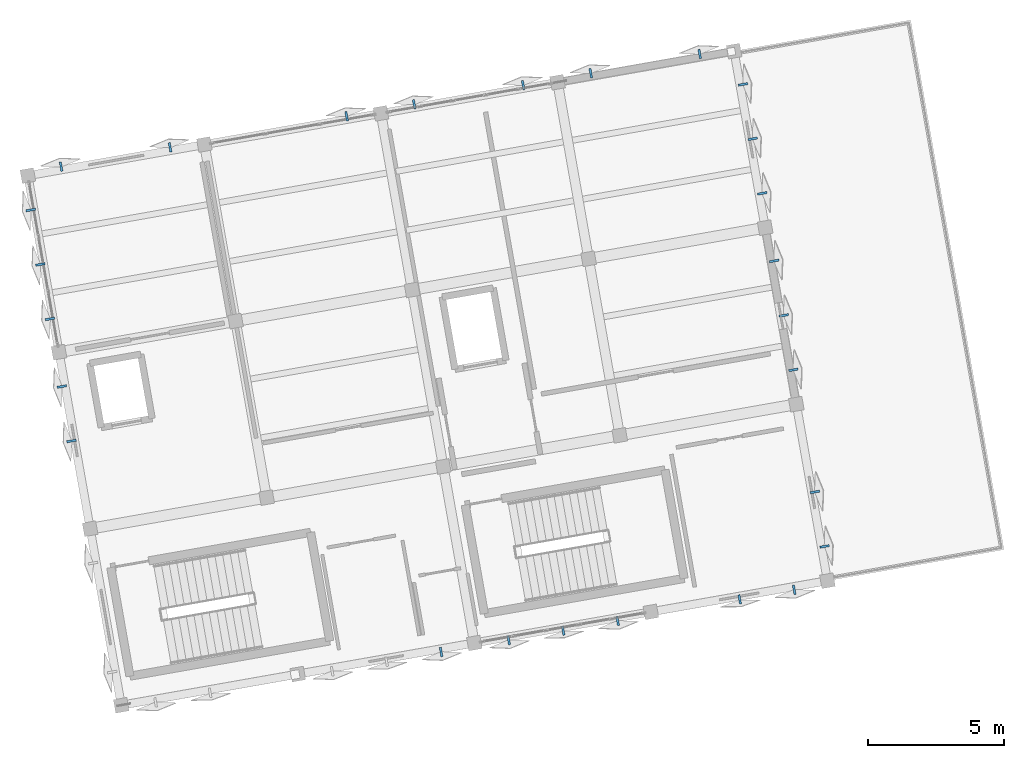
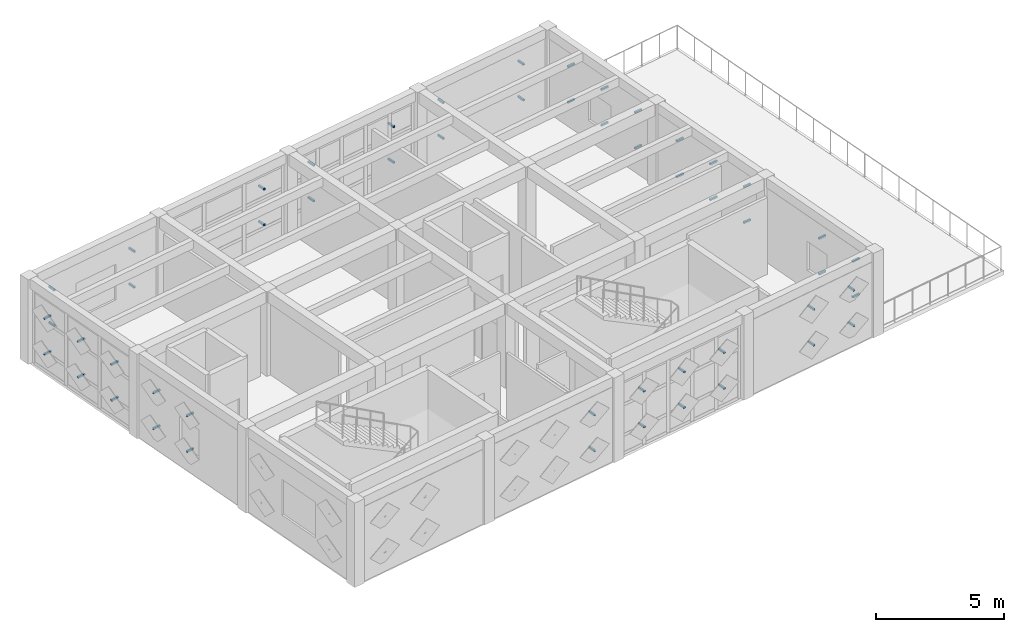
# One storey, part 11 of 13: 52 discrete accessories.
"""IFC4 building model written with IfcOpenShell, lengths in metres."""

from ifc_helpers import new_model, si_unit, direction, frame, origin, origin_2d, place, context, subcontext, project, spatial, hollow_rectangle, extrude, material, type_object, element, save


model = new_model("IFC4")

# Units and contexts
model_context = context("Model", 3, precision=1e-05, world=origin(), true_north=direction((0.0, 1.0)))
body_context = subcontext(model_context, "Body", "Model", "MODEL_VIEW")
ifc_project = project(units=[si_unit("LENGTHUNIT", "METRE"), si_unit("AREAUNIT", "SQUARE_METRE"), si_unit("VOLUMEUNIT", "CUBIC_METRE"), si_unit("PLANEANGLEUNIT", "RADIAN"), si_unit("MASSUNIT", "GRAM", prefix="KILO")], contexts=[model_context])

# Site, building, storey
site_placement = place(None, origin())
site = spatial("IfcSite", under=ifc_project, at=site_placement, CompositionType="ELEMENT")
building_placement = place(site_placement, origin())
building = spatial("IfcBuilding", under=site, at=building_placement, Name="Kharisveld Research Institute", CompositionType="ELEMENT")
storey_placement = place(building_placement, frame((0.0, 0.0, 45.0)))
storey = spatial("IfcBuildingStorey", under=building, at=storey_placement, Name="L10", CompositionType="ELEMENT", Elevation=45.0)

# Discrete accessories
ifc_material = material(Name="Steel S355JR", Category="steel")
discrete_accessory_type = type_object("IfcDiscreteAccessoryType", Name="BKT_ST_260", PredefinedType="BRACKET")
for number, where, z_axis, x_axis, name in (
    (1, (3.5400390625, 44.77001953125, 1.050048828125), (-0.984804615622, -0.173665969752, 0.0), (0.173665969752, -0.984804615622, 0.0), "BKT-SHD:V1:L10:W1:S1C0"),
    (2, (3.5400390625, 44.77001953125, 2.75), (-0.984804615622, -0.173665969752, 0.0), (0.173665969752, -0.984804615622, 0.0), "BKT-SHD:V1:L10:W1:S1C1"),
    (3, (3.186279296875, 46.775634765625, 1.050048828125), (-0.984804615622, -0.173665969752, 0.0), (0.173665969752, -0.984804615622, 0.0), "BKT-SHD:V1:L10:W1:S2C0"),
    (4, (3.186279296875, 46.775634765625, 2.75), (-0.984804615622, -0.173665969752, 0.0), (0.173665969752, -0.984804615622, 0.0), "BKT-SHD:V1:L10:W1:S2C1"),
    (5, (2.74755859375, 49.263916015625, 1.050048828125), (-0.984804615622, -0.173665969752, 0.0), (0.173665969752, -0.984804615622, 0.0), "BKT-SHD:V1:L10:W2:S0C0"),
    (6, (2.74755859375, 49.263916015625, 2.75), (-0.984804615622, -0.173665969752, 0.0), (0.173665969752, -0.984804615622, 0.0), "BKT-SHD:V1:L10:W2:S0C1"),
):
    element("IfcDiscreteAccessory", number, at=place(storey_placement, frame(where, z_axis=z_axis, x_axis=x_axis)), inside=storey, type_object=discrete_accessory_type, material=ifc_material, Name=name, ObjectType="BRACKET", PredefinedType="BRACKET", context=body_context, shape_type="SweptSolid", body=[
        extrude(hollow_rectangle(XDim=0.080078125, YDim=0.080078125, WallThickness=0.0048828125, at=origin_2d()), origin(), (0.0, 0.0, 1.0), 0.35009765625),
    ])
for number, where, z_axis, x_axis, name in (
    (7, (2.393798828125, 51.269775390625, 1.050048828125), (-0.984783558818, -0.173785333909, 0.0), (0.173785333909, -0.984783558818, 0.0), "BKT-SHD:V1:L10:W2:S1C0"),
    (8, (2.393798828125, 51.269775390625, 2.75), (-0.984783558818, -0.173785333909, 0.0), (0.173785333909, -0.984783558818, 0.0), "BKT-SHD:V1:L10:W2:S1C1"),
):
    element("IfcDiscreteAccessory", number, at=place(storey_placement, frame(where, z_axis=z_axis, x_axis=x_axis)), inside=storey, type_object=discrete_accessory_type, material=ifc_material, Name=name, ObjectType="BRACKET", PredefinedType="BRACKET", context=body_context, shape_type="SweptSolid", body=[
        extrude(hollow_rectangle(XDim=0.080078125, YDim=0.080078125, WallThickness=0.0048828125, at=origin_2d()), origin(), (0.0, 0.0, 1.0), 0.349853515625),
    ])
for number, where, z_axis, x_axis, name in (
    (9, (2.040283203125, 53.275390625, 1.050048828125), (-0.984804615622, -0.173665969752, 0.0), (0.173665969752, -0.984804615622, 0.0), "BKT-SHD:V1:L10:W2:S2C0"),
    (10, (2.040283203125, 53.275390625, 2.75), (-0.984804615622, -0.173665969752, 0.0), (0.173665969752, -0.984804615622, 0.0), "BKT-SHD:V1:L10:W2:S2C1"),
    (11, (3.016357421875, 54.66943359375, 1.050048828125), (-0.173665969752, 0.984804615622, 0.0), (-0.984804615622, -0.173665969752, 0.0), "BKT-SHD:V1:L10:N0:S0C0"),
    (12, (3.016357421875, 54.66943359375, 2.75), (-0.173665969752, 0.984804615622, 0.0), (-0.984804615622, -0.173665969752, 0.0), "BKT-SHD:V1:L10:N0:S0C1"),
    (13, (7.02783203125, 55.376708984375, 1.050048828125), (-0.173665969752, 0.984804615622, 0.0), (-0.984804615622, -0.173665969752, 0.0), "BKT-SHD:V1:L10:N0:S2C0"),
    (14, (7.02783203125, 55.376708984375, 2.75), (-0.173665969752, 0.984804615622, 0.0), (-0.984804615622, -0.173665969752, 0.0), "BKT-SHD:V1:L10:N0:S2C1"),
    (15, (13.527587890625, 56.52294921875, 1.050048828125), (-0.173665969752, 0.984804615622, 0.0), (-0.984804615622, -0.173665969752, 0.0), "BKT-SHD:V1:L10:N1:S2C0"),
    (16, (13.527587890625, 56.52294921875, 2.75), (-0.173665969752, 0.984804615622, 0.0), (-0.984804615622, -0.173665969752, 0.0), "BKT-SHD:V1:L10:N1:S2C1"),
    (17, (16.015869140625, 56.961669921875, 1.050048828125), (-0.173665969752, 0.984804615622, 0.0), (-0.984804615622, -0.173665969752, 0.0), "BKT-SHD:V1:L10:N2:S0C0"),
    (18, (16.015869140625, 56.961669921875, 2.75), (-0.173665969752, 0.984804615622, 0.0), (-0.984804615622, -0.173665969752, 0.0), "BKT-SHD:V1:L10:N2:S0C1"),
    (19, (20.02734375, 57.6689453125, 1.050048828125), (-0.173665969752, 0.984804615622, 0.0), (-0.984804615622, -0.173665969752, 0.0), "BKT-SHD:V1:L10:N2:S2C0"),
    (20, (20.02734375, 57.6689453125, 2.75), (-0.173665969752, 0.984804615622, 0.0), (-0.984804615622, -0.173665969752, 0.0), "BKT-SHD:V1:L10:N2:S2C1"),
    (21, (22.515625, 58.107666015625, 1.050048828125), (-0.173665969752, 0.984804615622, 0.0), (-0.984804615622, -0.173665969752, 0.0), "BKT-SHD:V1:L10:N3:S0C0"),
    (22, (22.515625, 58.107666015625, 2.75), (-0.173665969752, 0.984804615622, 0.0), (-0.984804615622, -0.173665969752, 0.0), "BKT-SHD:V1:L10:N3:S0C1"),
    (23, (26.52685546875, 58.81494140625, 1.050048828125), (-0.172989428414, 0.984923681133, 0.0), (-0.984923681133, -0.172989428414, 0.0), "BKT-SHD:V1:L10:N3:S2C0"),
    (24, (26.52685546875, 58.81494140625, 2.75), (-0.172989428414, 0.984923681133, 0.0), (-0.984923681133, -0.172989428414, 0.0), "BKT-SHD:V1:L10:N3:S2C1"),
    (25, (27.9208984375, 57.8388671875, 1.050048828125), (0.984804615622, 0.173665969752, 0.0), (-0.173665969752, 0.984804615622, 0.0), "BKT-SHD:V1:L10:E3:S0C0"),
    (26, (27.9208984375, 57.8388671875, 2.75), (0.984804615622, 0.173665969752, 0.0), (-0.173665969752, 0.984804615622, 0.0), "BKT-SHD:V1:L10:E3:S0C1"),
    (27, (28.274658203125, 55.833251953125, 1.050048828125), (0.984804615622, 0.173665969752, 0.0), (-0.173665969752, 0.984804615622, 0.0), "BKT-SHD:V1:L10:E3:S1C0"),
    (28, (28.274658203125, 55.833251953125, 2.75), (0.984804615622, 0.173665969752, 0.0), (-0.173665969752, 0.984804615622, 0.0), "BKT-SHD:V1:L10:E3:S1C1"),
):
    element("IfcDiscreteAccessory", number, at=place(storey_placement, frame(where, z_axis=z_axis, x_axis=x_axis)), inside=storey, type_object=discrete_accessory_type, material=ifc_material, Name=name, ObjectType="BRACKET", PredefinedType="BRACKET", context=body_context, shape_type="SweptSolid", body=[
        extrude(hollow_rectangle(XDim=0.080078125, YDim=0.080078125, WallThickness=0.0048828125, at=origin_2d()), origin(), (0.0, 0.0, 1.0), 0.35009765625),
    ])
for number, where, z_axis, x_axis, name in (
    (29, (28.62841796875, 53.827392578125, 1.050048828125), (0.984783558818, 0.173785333909, 0.0), (-0.173785333909, 0.984783558818, 0.0), "BKT-SHD:V1:L10:E3:S2C0"),
    (30, (28.62841796875, 53.827392578125, 2.75), (0.984783558818, 0.173785333909, 0.0), (-0.173785333909, 0.984783558818, 0.0), "BKT-SHD:V1:L10:E3:S2C1"),
    (31, (29.067138671875, 51.339111328125, 1.050048828125), (0.984783558818, 0.173785333909, 0.0), (-0.173785333909, 0.984783558818, 0.0), "BKT-SHD:V1:L10:E2:S0C0"),
    (32, (29.067138671875, 51.339111328125, 2.75), (0.984783558818, 0.173785333909, 0.0), (-0.173785333909, 0.984783558818, 0.0), "BKT-SHD:V1:L10:E2:S0C1"),
):
    element("IfcDiscreteAccessory", number, at=place(storey_placement, frame(where, z_axis=z_axis, x_axis=x_axis)), inside=storey, type_object=discrete_accessory_type, material=ifc_material, Name=name, ObjectType="BRACKET", PredefinedType="BRACKET", context=body_context, shape_type="SweptSolid", body=[
        extrude(hollow_rectangle(XDim=0.080078125, YDim=0.080078125, WallThickness=0.0048828125, at=origin_2d()), origin(), (0.0, 0.0, 1.0), 0.349853515625),
    ])
for number, where, z_axis, x_axis, name in (
    (33, (29.420654296875, 49.33349609375, 1.050048828125), (0.984804615622, 0.173665969752, 0.0), (-0.173665969752, 0.984804615622, 0.0), "BKT-SHD:V1:L10:E2:S1C0"),
    (34, (29.420654296875, 49.33349609375, 2.75), (0.984804615622, 0.173665969752, 0.0), (-0.173665969752, 0.984804615622, 0.0), "BKT-SHD:V1:L10:E2:S1C1"),
    (35, (29.7744140625, 47.327880859375, 1.050048828125), (0.984923681133, 0.172989428414, 0.0), (-0.172989428414, 0.984923681133, 0.0), "BKT-SHD:V1:L10:E2:S2C0"),
    (36, (29.7744140625, 47.327880859375, 2.75), (0.984923681133, 0.172989428414, 0.0), (-0.172989428414, 0.984923681133, 0.0), "BKT-SHD:V1:L10:E2:S2C1"),
):
    element("IfcDiscreteAccessory", number, at=place(storey_placement, frame(where, z_axis=z_axis, x_axis=x_axis)), inside=storey, type_object=discrete_accessory_type, material=ifc_material, Name=name, ObjectType="BRACKET", PredefinedType="BRACKET", context=body_context, shape_type="SweptSolid", body=[
        extrude(hollow_rectangle(XDim=0.080078125, YDim=0.080078125, WallThickness=0.0048828125, at=origin_2d()), origin(), (0.0, 0.0, 1.0), 0.35009765625),
    ])
for number, where, z_axis, x_axis, name in (
    (37, (30.56689453125, 42.833740234375, 1.050048828125), (0.984783558818, 0.173785333909, 0.0), (-0.173785333909, 0.984783558818, 0.0), "BKT-SHD:V1:L10:E1:S1C0"),
    (38, (30.56689453125, 42.833740234375, 2.75), (0.984783558818, 0.173785333909, 0.0), (-0.173785333909, 0.984783558818, 0.0), "BKT-SHD:V1:L10:E1:S1C1"),
):
    element("IfcDiscreteAccessory", number, at=place(storey_placement, frame(where, z_axis=z_axis, x_axis=x_axis)), inside=storey, type_object=discrete_accessory_type, material=ifc_material, Name=name, ObjectType="BRACKET", PredefinedType="BRACKET", context=body_context, shape_type="SweptSolid", body=[
        extrude(hollow_rectangle(XDim=0.080078125, YDim=0.080078125, WallThickness=0.0048828125, at=origin_2d()), origin(), (0.0, 0.0, 1.0), 0.349853515625),
    ])
for number, where, z_axis, x_axis, name in (
    (39, (30.92041015625, 40.828125, 1.050048828125), (0.984804615622, 0.173665969752, 0.0), (-0.173665969752, 0.984804615622, 0.0), "BKT-SHD:V1:L10:E1:S2C0"),
    (40, (30.92041015625, 40.828125, 2.75), (0.984804615622, 0.173665969752, 0.0), (-0.173665969752, 0.984804615622, 0.0), "BKT-SHD:V1:L10:E1:S2C1"),
    (41, (29.9443359375, 39.43408203125, 1.050048828125), (0.173665969752, -0.984804615622, 0.0), (0.984804615622, 0.173665969752, 0.0), "BKT-SHD:V1:L10:S4:S0C0"),
    (42, (29.9443359375, 39.43408203125, 2.75), (0.173665969752, -0.984804615622, 0.0), (0.984804615622, 0.173665969752, 0.0), "BKT-SHD:V1:L10:S4:S0C1"),
    (43, (27.938720703125, 39.080322265625, 1.050048828125), (0.173665969752, -0.984804615622, 0.0), (0.984804615622, 0.173665969752, 0.0), "BKT-SHD:V1:L10:S4:S1C0"),
    (44, (27.938720703125, 39.080322265625, 2.75), (0.173665969752, -0.984804615622, 0.0), (0.984804615622, 0.173665969752, 0.0), "BKT-SHD:V1:L10:S4:S1C1"),
):
    element("IfcDiscreteAccessory", number, at=place(storey_placement, frame(where, z_axis=z_axis, x_axis=x_axis)), inside=storey, type_object=discrete_accessory_type, material=ifc_material, Name=name, ObjectType="BRACKET", PredefinedType="BRACKET", context=body_context, shape_type="SweptSolid", body=[
        extrude(hollow_rectangle(XDim=0.080078125, YDim=0.080078125, WallThickness=0.0048828125, at=origin_2d()), origin(), (0.0, 0.0, 1.0), 0.35009765625),
    ])
for number, where, z_axis, x_axis, name in (
    (45, (23.444580078125, 38.287841796875, 1.050048828125), (0.173785333909, -0.984783558818, 0.0), (0.984783558818, 0.173785333909, 0.0), "BKT-SHD:V1:L10:S3:S0C0"),
    (46, (23.444580078125, 38.287841796875, 2.75), (0.173785333909, -0.984783558818, 0.0), (0.984783558818, 0.173785333909, 0.0), "BKT-SHD:V1:L10:S3:S0C1"),
):
    element("IfcDiscreteAccessory", number, at=place(storey_placement, frame(where, z_axis=z_axis, x_axis=x_axis)), inside=storey, type_object=discrete_accessory_type, material=ifc_material, Name=name, ObjectType="BRACKET", PredefinedType="BRACKET", context=body_context, shape_type="SweptSolid", body=[
        extrude(hollow_rectangle(XDim=0.080078125, YDim=0.080078125, WallThickness=0.0048828125, at=origin_2d()), origin(), (0.0, 0.0, 1.0), 0.349853515625),
    ])
for number, where, z_axis, x_axis, name in (
    (47, (21.43896484375, 37.934326171875, 1.050048828125), (0.173665969752, -0.984804615622, 0.0), (0.984804615622, 0.173665969752, 0.0), "BKT-SHD:V1:L10:S3:S1C0"),
    (48, (21.43896484375, 37.934326171875, 2.75), (0.173665969752, -0.984804615622, 0.0), (0.984804615622, 0.173665969752, 0.0), "BKT-SHD:V1:L10:S3:S1C1"),
    (49, (19.43310546875, 37.58056640625, 1.050048828125), (0.173665969752, -0.984804615622, 0.0), (0.984804615622, 0.173665969752, 0.0), "BKT-SHD:V1:L10:S3:S2C0"),
    (50, (19.43310546875, 37.58056640625, 2.75), (0.173665969752, -0.984804615622, 0.0), (0.984804615622, 0.173665969752, 0.0), "BKT-SHD:V1:L10:S3:S2C1"),
    (51, (16.94482421875, 37.141845703125, 1.050048828125), (0.173665969752, -0.984804615622, 0.0), (0.984804615622, 0.173665969752, 0.0), "BKT-SHD:V1:L10:S2:S0C0"),
    (52, (16.94482421875, 37.141845703125, 2.75), (0.173665969752, -0.984804615622, 0.0), (0.984804615622, 0.173665969752, 0.0), "BKT-SHD:V1:L10:S2:S0C1"),
):
    element("IfcDiscreteAccessory", number, at=place(storey_placement, frame(where, z_axis=z_axis, x_axis=x_axis)), inside=storey, type_object=discrete_accessory_type, material=ifc_material, Name=name, ObjectType="BRACKET", PredefinedType="BRACKET", context=body_context, shape_type="SweptSolid", body=[
        extrude(hollow_rectangle(XDim=0.080078125, YDim=0.080078125, WallThickness=0.0048828125, at=origin_2d()), origin(), (0.0, 0.0, 1.0), 0.35009765625),
    ])

save(model, "model.ifc")
